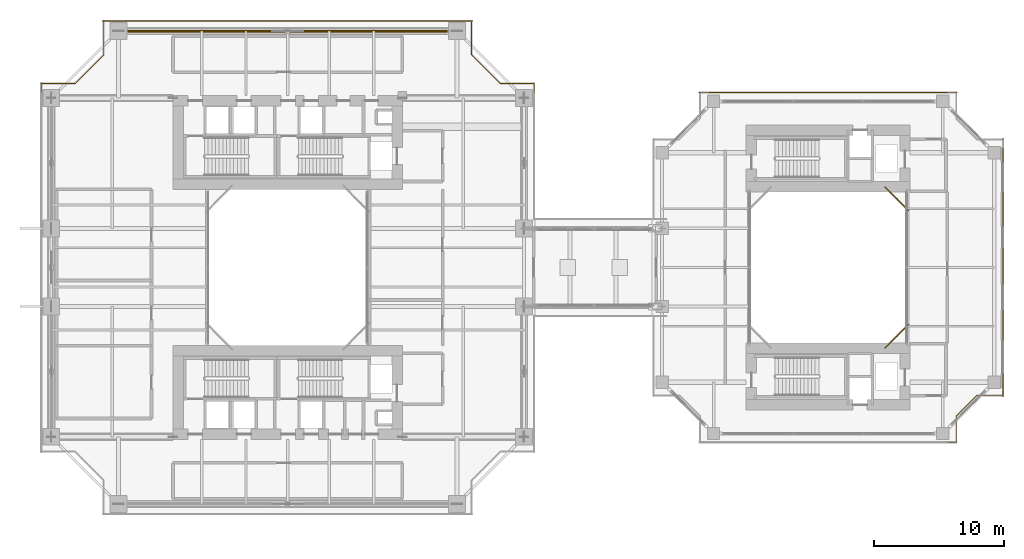
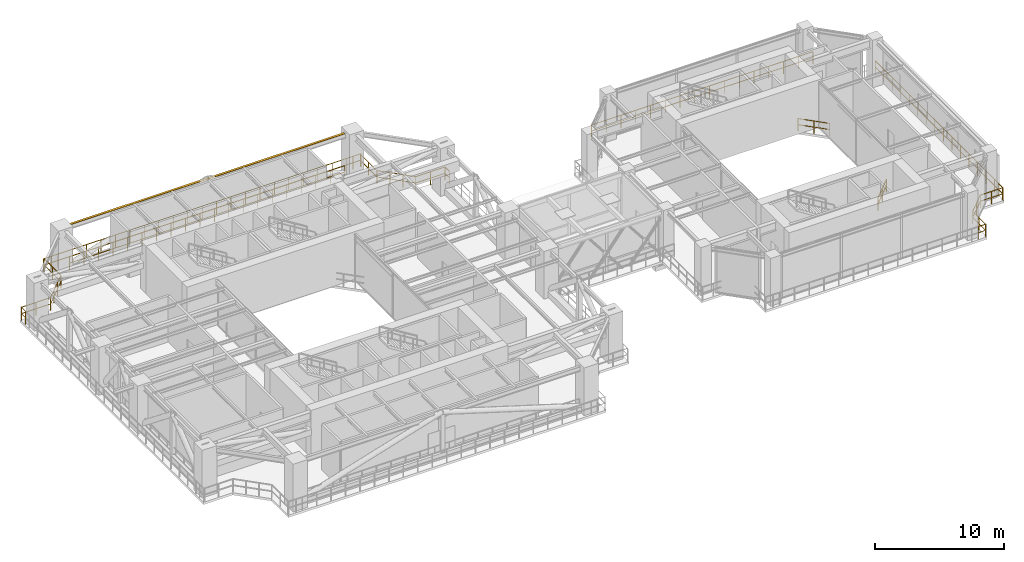
# One storey, part 25 of 26: 9 railings, 1 shading device.
"""IFC4 building model written with IfcOpenShell, lengths in metres."""

from ifc_helpers import new_model, si_unit, direction, frame, origin, origin_2d, place, context, subcontext, project, spatial, rectangle, extrude, source, transform, mapped, material, material_profile, profile_set, type_object, element, save


model = new_model("IFC4")

# Units and contexts
model_context = context("Model", 3, precision=1e-05, world=origin(), true_north=direction((0.0, 1.0)))
body_context = subcontext(model_context, "Body", "Model", "MODEL_VIEW")
ifc_project = project(units=[si_unit("LENGTHUNIT", "METRE"), si_unit("AREAUNIT", "SQUARE_METRE"), si_unit("VOLUMEUNIT", "CUBIC_METRE"), si_unit("PLANEANGLEUNIT", "RADIAN"), si_unit("MASSUNIT", "GRAM", prefix="KILO"), si_unit("THERMODYNAMICTEMPERATUREUNIT", "KELVIN"), si_unit("POWERUNIT", "WATT")], contexts=[model_context])

# Site, building, storey
site_placement = place(None, origin())
site = spatial("IfcSite", under=ifc_project, at=site_placement, CompositionType="ELEMENT")
building_placement = place(site_placement, origin())
building = spatial("IfcBuilding", under=site, at=building_placement, Name="Qiaomeng Ring Towers", CompositionType="ELEMENT")
storey_placement = place(building_placement, frame((0.0, 0.0, 45.75)))
storey = spatial("IfcBuildingStorey", under=building, at=storey_placement, Name="L12", CompositionType="ELEMENT", Elevation=45.75)

# Railings
ifc_material_1 = material(Name="Low-E pale-green laminated safety glass", Category="glass")
railing_type_1 = type_object("IfcRailingType", Name="ARC-RL-BAL1", PredefinedType="BALUSTRADE", material=ifc_material_1)
railing_1_placement = place(storey_placement, frame((64.8798828125, 16.820068359375, 0.0)))
element("IfcRailing", 1, at=railing_1_placement, inside=storey, type_object=railing_type_1, Name="L12 Balustrade ARC-BAL-WELL2-L12-1", PredefinedType="BALUSTRADE", context=body_context, shape_type="SweptSolid", body=[
    extrude(rectangle(XDim=0.048095703125, YDim=0.048095703125, at=origin_2d()), frame((0.0, 0.0, 1.17578125), z_axis=(0.707106781187, 0.707106781187, 0.0), x_axis=(-0.707106781187, 0.707106781187, 0.0)), (0.0, 0.0, 1.0), 2.545654296875),
    extrude(rectangle(XDim=0.048095703125, YDim=0.048095703125, at=origin_2d()), frame((0.0, 0.0, 0.60009765625), z_axis=(0.707106781187, 0.707106781187, 0.0), x_axis=(-0.707106781187, 0.707106781187, 0.0)), (0.0, 0.0, 1.0), 2.545654296875),
    extrude(rectangle(XDim=0.0419921875, YDim=0.0419921875, at=origin_2d()), origin(), (0.0, 0.0, 1.0), 1.15185546875),
    extrude(rectangle(XDim=0.0419921875, YDim=0.0419921875, at=origin_2d()), frame((0.89990234375, 0.89990234375, 0.0)), (0.0, 0.0, 1.0), 1.15185546875),
    extrude(rectangle(XDim=0.0419921875, YDim=0.0419921875, at=origin_2d()), frame((1.800048828125, 1.800048828125, 0.0)), (0.0, 0.0, 1.0), 1.15185546875),
])
railing_2_placement = place(storey_placement, frame((66.679931640625, 27.3798828125, 0.0)))
element("IfcRailing", 2, at=railing_2_placement, inside=storey, type_object=railing_type_1, Name="L12 Balustrade ARC-BAL-WELL2-L12-2", PredefinedType="BALUSTRADE", context=body_context, shape_type="SweptSolid", body=[
    extrude(rectangle(XDim=0.048095703125, YDim=0.048095703125, at=origin_2d()), frame((0.0, 0.0, 1.17578125), z_axis=(-0.707106781187, 0.707106781187, 0.0), x_axis=(-0.707106781187, -0.707106781187, 0.0)), (0.0, 0.0, 1.0), 2.545654296875),
    extrude(rectangle(XDim=0.048095703125, YDim=0.048095703125, at=origin_2d()), frame((0.0, 0.0, 0.60009765625), z_axis=(-0.707106781187, 0.707106781187, 0.0), x_axis=(-0.707106781187, -0.707106781187, 0.0)), (0.0, 0.0, 1.0), 2.545654296875),
    extrude(rectangle(XDim=0.0419921875, YDim=0.0419921875, at=origin_2d()), origin(), (0.0, 0.0, 1.0), 1.15185546875),
    extrude(rectangle(XDim=0.0419921875, YDim=0.0419921875, at=origin_2d()), frame((-0.89990234375, 0.89990234375, 0.0)), (0.0, 0.0, 1.0), 1.15185546875),
    extrude(rectangle(XDim=0.0419921875, YDim=0.0419921875, at=origin_2d()), frame((-1.800048828125, 1.800048828125, 0.0)), (0.0, 0.0, 1.0), 1.15185546875),
])
railing_3_placement = place(storey_placement, frame((69.669921875, 9.580078125, 0.0)))
element("IfcRailing", 3, at=railing_3_placement, inside=storey, type_object=railing_type_1, Name="L12 Balustrade ARC-BAL-NOTCH2-L12-SE", PredefinedType="BALUSTRADE", context=body_context, shape_type="SweptSolid", body=[
    extrude(rectangle(XDim=0.048095703125, YDim=0.048095703125, at=origin_2d()), frame((0.0, 0.0, 1.17578125), z_axis=(1.0, 0.0, 0.0), x_axis=(0.0, 1.0, 0.0)), (0.0, 0.0, 1.0), 0.650146484375),
    extrude(rectangle(XDim=0.048095703125, YDim=0.048095703125, at=origin_2d()), frame((0.0, 0.0, 0.60009765625), z_axis=(1.0, 0.0, 0.0), x_axis=(0.0, 1.0, 0.0)), (0.0, 0.0, 1.0), 0.650146484375),
    extrude(rectangle(XDim=0.048095703125, YDim=0.048095703125, at=origin_2d()), frame((0.650146484375, 0.0, 1.17578125), z_axis=(0.0, 1.0, 0.0), x_axis=(-1.0, 0.0, 0.0)), (0.0, 0.0, 1.0), 2.0),
    extrude(rectangle(XDim=0.048095703125, YDim=0.048095703125, at=origin_2d()), frame((0.650146484375, 0.0, 0.60009765625), z_axis=(0.0, 1.0, 0.0), x_axis=(-1.0, 0.0, 0.0)), (0.0, 0.0, 1.0), 2.0),
    extrude(rectangle(XDim=0.048095703125, YDim=0.048095703125, at=origin_2d()), frame((0.650146484375, 2.0, 1.17578125), z_axis=(0.707106781187, 0.707106781187, 0.0), x_axis=(-0.707106781187, 0.707106781187, 0.0)), (0.0, 0.0, 1.0), 2.262451171875),
    extrude(rectangle(XDim=0.048095703125, YDim=0.048095703125, at=origin_2d()), frame((0.650146484375, 2.0, 0.60009765625), z_axis=(0.707106781187, 0.707106781187, 0.0), x_axis=(-0.707106781187, 0.707106781187, 0.0)), (0.0, 0.0, 1.0), 2.262451171875),
    extrude(rectangle(XDim=0.048095703125, YDim=0.048095703125, at=origin_2d()), frame((2.25, 3.599853515625, 1.17578125), z_axis=(1.0, 0.0, 0.0), x_axis=(0.0, 1.0, 0.0)), (0.0, 0.0, 1.0), 2.0),
    extrude(rectangle(XDim=0.048095703125, YDim=0.048095703125, at=origin_2d()), frame((2.25, 3.599853515625, 0.60009765625), z_axis=(1.0, 0.0, 0.0), x_axis=(0.0, 1.0, 0.0)), (0.0, 0.0, 1.0), 2.0),
    extrude(rectangle(XDim=0.048095703125, YDim=0.048095703125, at=origin_2d()), frame((4.25, 3.599853515625, 1.17578125), z_axis=(0.0, 1.0, 0.0), x_axis=(-1.0, 0.0, 0.0)), (0.0, 0.0, 1.0), 0.650146484375),
    extrude(rectangle(XDim=0.048095703125, YDim=0.048095703125, at=origin_2d()), frame((4.25, 3.599853515625, 0.60009765625), z_axis=(0.0, 1.0, 0.0), x_axis=(-1.0, 0.0, 0.0)), (0.0, 0.0, 1.0), 0.650146484375),
    extrude(rectangle(XDim=0.0419921875, YDim=0.0419921875, at=origin_2d()), origin(), (0.0, 0.0, 1.0), 1.15185546875),
    extrude(rectangle(XDim=0.0419921875, YDim=0.0419921875, at=origin_2d()), frame((0.650146484375, 0.0, 0.0)), (0.0, 0.0, 1.0), 1.15185546875),
    extrude(rectangle(XDim=0.0419921875, YDim=0.0419921875, at=origin_2d()), frame((0.650146484375, 1.0, 0.0)), (0.0, 0.0, 1.0), 1.15185546875),
    extrude(rectangle(XDim=0.0419921875, YDim=0.0419921875, at=origin_2d()), frame((0.650146484375, 2.0, 0.0)), (0.0, 0.0, 1.0), 1.15185546875),
    extrude(rectangle(XDim=0.0419921875, YDim=0.0419921875, at=origin_2d()), frame((1.4501953125, 2.7998046875, 0.0)), (0.0, 0.0, 1.0), 1.15185546875),
    extrude(rectangle(XDim=0.0419921875, YDim=0.0419921875, at=origin_2d()), frame((2.25, 3.599853515625, 0.0)), (0.0, 0.0, 1.0), 1.15185546875),
    extrude(rectangle(XDim=0.0419921875, YDim=0.0419921875, at=origin_2d()), frame((3.25, 3.599853515625, 0.0)), (0.0, 0.0, 1.0), 1.15185546875),
    extrude(rectangle(XDim=0.0419921875, YDim=0.0419921875, at=origin_2d()), frame((4.25, 3.599853515625, 0.0)), (0.0, 0.0, 1.0), 1.15185546875),
    extrude(rectangle(XDim=0.0419921875, YDim=0.0419921875, at=origin_2d()), frame((4.25, 4.25, 0.0)), (0.0, 0.0, 1.0), 1.15185546875),
])
railing_4_placement = place(storey_placement, frame((50.60009765625, 36.419921875, 0.0)))
element("IfcRailing", 4, at=railing_4_placement, inside=storey, type_object=railing_type_1, Name="L12 Balustrade ARC-BAL-T2N-L12", PredefinedType="BALUSTRADE", context=body_context, shape_type="SweptSolid", body=[
    extrude(rectangle(XDim=0.048095703125, YDim=0.048095703125, at=origin_2d()), frame((0.0, 0.0, 1.17578125), z_axis=(1.0, 0.0, 0.0), x_axis=(0.0, 1.0, 0.0)), (0.0, 0.0, 1.0), 19.7998046875),
    extrude(rectangle(XDim=0.048095703125, YDim=0.048095703125, at=origin_2d()), frame((0.0, 0.0, 0.60009765625), z_axis=(1.0, 0.0, 0.0), x_axis=(0.0, 1.0, 0.0)), (0.0, 0.0, 1.0), 19.7998046875),
    extrude(rectangle(XDim=0.0419921875, YDim=0.0419921875, at=origin_2d()), origin(), (0.0, 0.0, 1.0), 1.15185546875),
    extrude(rectangle(XDim=0.0419921875, YDim=0.0419921875, at=origin_2d()), frame((1.320068359375, 0.0, 0.0)), (0.0, 0.0, 1.0), 1.15185546875),
    extrude(rectangle(XDim=0.0419921875, YDim=0.0419921875, at=origin_2d()), frame((2.639892578125, 0.0, 0.0)), (0.0, 0.0, 1.0), 1.15185546875),
    extrude(rectangle(XDim=0.0419921875, YDim=0.0419921875, at=origin_2d()), frame((3.9599609375, 0.0, 0.0)), (0.0, 0.0, 1.0), 1.15185546875),
    extrude(rectangle(XDim=0.0419921875, YDim=0.0419921875, at=origin_2d()), frame((5.280029296875, 0.0, 0.0)), (0.0, 0.0, 1.0), 1.15185546875),
    extrude(rectangle(XDim=0.0419921875, YDim=0.0419921875, at=origin_2d()), frame((6.599853515625, 0.0, 0.0)), (0.0, 0.0, 1.0), 1.15185546875),
    extrude(rectangle(XDim=0.0419921875, YDim=0.0419921875, at=origin_2d()), frame((7.919921875, 0.0, 0.0)), (0.0, 0.0, 1.0), 1.15185546875),
    extrude(rectangle(XDim=0.0419921875, YDim=0.0419921875, at=origin_2d()), frame((9.239990234375, 0.0, 0.0)), (0.0, 0.0, 1.0), 1.15185546875),
    extrude(rectangle(XDim=0.0419921875, YDim=0.0419921875, at=origin_2d()), frame((10.559814453125, 0.0, 0.0)), (0.0, 0.0, 1.0), 1.15185546875),
    extrude(rectangle(XDim=0.0419921875, YDim=0.0419921875, at=origin_2d()), frame((11.8798828125, 0.0, 0.0)), (0.0, 0.0, 1.0), 1.15185546875),
    extrude(rectangle(XDim=0.0419921875, YDim=0.0419921875, at=origin_2d()), frame((13.199951171875, 0.0, 0.0)), (0.0, 0.0, 1.0), 1.15185546875),
    extrude(rectangle(XDim=0.0419921875, YDim=0.0419921875, at=origin_2d()), frame((14.519775390625, 0.0, 0.0)), (0.0, 0.0, 1.0), 1.15185546875),
    extrude(rectangle(XDim=0.0419921875, YDim=0.0419921875, at=origin_2d()), frame((15.83984375, 0.0, 0.0)), (0.0, 0.0, 1.0), 1.15185546875),
    extrude(rectangle(XDim=0.0419921875, YDim=0.0419921875, at=origin_2d()), frame((17.159912109375, 0.0, 0.0)), (0.0, 0.0, 1.0), 1.15185546875),
    extrude(rectangle(XDim=0.0419921875, YDim=0.0419921875, at=origin_2d()), frame((18.479736328125, 0.0, 0.0)), (0.0, 0.0, 1.0), 1.15185546875),
    extrude(rectangle(XDim=0.0419921875, YDim=0.0419921875, at=origin_2d()), frame((19.7998046875, 0.0, 0.0)), (0.0, 0.0, 1.0), 1.15185546875),
])
ifc_material_2 = material(Name="Stainless steel 316", Category="steel")
railing_type_2 = type_object("IfcRailingType", Name="ARC-RL-BAL2", PredefinedType="BALUSTRADE", material=ifc_material_2)
railing_5_placement = place(storey_placement, frame((31.300048828125, 41.14990234375, 0.0)))
element("IfcRailing", 5, at=railing_5_placement, inside=storey, type_object=railing_type_2, Name="L12 Open Refuge Band Perimeter Guard N", PredefinedType="BALUSTRADE", context=body_context, shape_type="SweptSolid", body=[
    extrude(rectangle(XDim=0.048095703125, YDim=0.048095703125, at=origin_2d()), frame((0.0, 0.0, 1.22607421875), z_axis=(-1.0, 0.0, 0.0), x_axis=(0.0, -1.0, 0.0)), (0.0, 0.0, 1.0), 24.60009765625),
    extrude(rectangle(XDim=0.048095703125, YDim=0.048095703125, at=origin_2d()), frame((0.0, 0.0, 0.625), z_axis=(-1.0, 0.0, 0.0), x_axis=(0.0, -1.0, 0.0)), (0.0, 0.0, 1.0), 24.60009765625),
    extrude(rectangle(XDim=0.0419921875, YDim=0.0419921875, at=origin_2d()), origin(), (0.0, 0.0, 1.0), 1.201904296875),
    extrude(rectangle(XDim=0.0419921875, YDim=0.0419921875, at=origin_2d()), frame((-1.294677734375, 0.0, 0.0)), (0.0, 0.0, 1.0), 1.201904296875),
    extrude(rectangle(XDim=0.0419921875, YDim=0.0419921875, at=origin_2d()), frame((-2.589599609375, 0.0, 0.0)), (0.0, 0.0, 1.0), 1.201904296875),
    extrude(rectangle(XDim=0.0419921875, YDim=0.0419921875, at=origin_2d()), frame((-3.88427734375, 0.0, 0.0)), (0.0, 0.0, 1.0), 1.201904296875),
    extrude(rectangle(XDim=0.0419921875, YDim=0.0419921875, at=origin_2d()), frame((-5.178955078125, 0.0, 0.0)), (0.0, 0.0, 1.0), 1.201904296875),
    extrude(rectangle(XDim=0.0419921875, YDim=0.0419921875, at=origin_2d()), frame((-6.4736328125, 0.0, 0.0)), (0.0, 0.0, 1.0), 1.201904296875),
    extrude(rectangle(XDim=0.0419921875, YDim=0.0419921875, at=origin_2d()), frame((-7.7685546875, 0.0, 0.0)), (0.0, 0.0, 1.0), 1.201904296875),
    extrude(rectangle(XDim=0.0419921875, YDim=0.0419921875, at=origin_2d()), frame((-9.063232421875, 0.0, 0.0)), (0.0, 0.0, 1.0), 1.201904296875),
    extrude(rectangle(XDim=0.0419921875, YDim=0.0419921875, at=origin_2d()), frame((-10.35791015625, 0.0, 0.0)), (0.0, 0.0, 1.0), 1.201904296875),
    extrude(rectangle(XDim=0.0419921875, YDim=0.0419921875, at=origin_2d()), frame((-11.652587890625, 0.0, 0.0)), (0.0, 0.0, 1.0), 1.201904296875),
    extrude(rectangle(XDim=0.0419921875, YDim=0.0419921875, at=origin_2d()), frame((-12.947509765625, 0.0, 0.0)), (0.0, 0.0, 1.0), 1.201904296875),
    extrude(rectangle(XDim=0.0419921875, YDim=0.0419921875, at=origin_2d()), frame((-14.2421875, 0.0, 0.0)), (0.0, 0.0, 1.0), 1.201904296875),
    extrude(rectangle(XDim=0.0419921875, YDim=0.0419921875, at=origin_2d()), frame((-15.536865234375, 0.0, 0.0)), (0.0, 0.0, 1.0), 1.201904296875),
    extrude(rectangle(XDim=0.0419921875, YDim=0.0419921875, at=origin_2d()), frame((-16.83154296875, 0.0, 0.0)), (0.0, 0.0, 1.0), 1.201904296875),
    extrude(rectangle(XDim=0.0419921875, YDim=0.0419921875, at=origin_2d()), frame((-18.12646484375, 0.0, 0.0)), (0.0, 0.0, 1.0), 1.201904296875),
    extrude(rectangle(XDim=0.0419921875, YDim=0.0419921875, at=origin_2d()), frame((-19.421142578125, 0.0, 0.0)), (0.0, 0.0, 1.0), 1.201904296875),
    extrude(rectangle(XDim=0.0419921875, YDim=0.0419921875, at=origin_2d()), frame((-20.7158203125, 0.0, 0.0)), (0.0, 0.0, 1.0), 1.201904296875),
    extrude(rectangle(XDim=0.0419921875, YDim=0.0419921875, at=origin_2d()), frame((-22.010498046875, 0.0, 0.0)), (0.0, 0.0, 1.0), 1.201904296875),
    extrude(rectangle(XDim=0.0419921875, YDim=0.0419921875, at=origin_2d()), frame((-23.305419921875, 0.0, 0.0)), (0.0, 0.0, 1.0), 1.201904296875),
    extrude(rectangle(XDim=0.0419921875, YDim=0.0419921875, at=origin_2d()), frame((-24.60009765625, 0.0, 0.0)), (0.0, 0.0, 1.0), 1.201904296875),
])
railing_6_placement = place(storey_placement, frame((37.919921875, 36.469970703125, 0.0)))
element("IfcRailing", 6, at=railing_6_placement, inside=storey, type_object=railing_type_2, Name="L12 Balustrade ARC-BAL-REF-CNR-L12-NE", PredefinedType="BALUSTRADE", context=body_context, shape_type="SweptSolid", body=[
    extrude(rectangle(XDim=0.048095703125, YDim=0.048095703125, at=origin_2d()), frame((0.0, 0.0, 1.22607421875), z_axis=(0.0, 1.0, 0.0), x_axis=(-1.0, 0.0, 0.0)), (0.0, 0.0, 1.0), 0.650146484375),
    extrude(rectangle(XDim=0.048095703125, YDim=0.048095703125, at=origin_2d()), frame((0.0, 0.0, 0.625), z_axis=(0.0, 1.0, 0.0), x_axis=(-1.0, 0.0, 0.0)), (0.0, 0.0, 1.0), 0.650146484375),
    extrude(rectangle(XDim=0.048095703125, YDim=0.048095703125, at=origin_2d()), frame((0.0, 0.650146484375, 1.22607421875), z_axis=(-1.0, 0.0, 0.0), x_axis=(0.0, -1.0, 0.0)), (0.0, 0.0, 1.0), 2.599853515625),
    extrude(rectangle(XDim=0.048095703125, YDim=0.048095703125, at=origin_2d()), frame((0.0, 0.650146484375, 0.625), z_axis=(-1.0, 0.0, 0.0), x_axis=(0.0, -1.0, 0.0)), (0.0, 0.0, 1.0), 2.599853515625),
    extrude(rectangle(XDim=0.048095703125, YDim=0.048095703125, at=origin_2d()), frame((-2.599853515625, 0.650146484375, 1.22607421875), z_axis=(-0.707106781187, 0.707106781187, 0.0), x_axis=(-0.707106781187, -0.707106781187, 0.0)), (0.0, 0.0, 1.0), 3.111083984375),
    extrude(rectangle(XDim=0.048095703125, YDim=0.048095703125, at=origin_2d()), frame((-2.599853515625, 0.650146484375, 0.625), z_axis=(-0.707106781187, 0.707106781187, 0.0), x_axis=(-0.707106781187, -0.707106781187, 0.0)), (0.0, 0.0, 1.0), 3.111083984375),
    extrude(rectangle(XDim=0.048095703125, YDim=0.048095703125, at=origin_2d()), frame((-4.7998046875, 2.85009765625, 1.22607421875), z_axis=(0.0, 1.0, 0.0), x_axis=(-1.0, 0.0, 0.0)), (0.0, 0.0, 1.0), 2.599853515625),
    extrude(rectangle(XDim=0.048095703125, YDim=0.048095703125, at=origin_2d()), frame((-4.7998046875, 2.85009765625, 0.625), z_axis=(0.0, 1.0, 0.0), x_axis=(-1.0, 0.0, 0.0)), (0.0, 0.0, 1.0), 2.599853515625),
    extrude(rectangle(XDim=0.048095703125, YDim=0.048095703125, at=origin_2d()), frame((-4.7998046875, 5.449951171875, 1.22607421875), z_axis=(-1.0, 0.0, 0.0), x_axis=(0.0, -1.0, 0.0)), (0.0, 0.0, 1.0), 0.650146484375),
    extrude(rectangle(XDim=0.048095703125, YDim=0.048095703125, at=origin_2d()), frame((-4.7998046875, 5.449951171875, 0.625), z_axis=(-1.0, 0.0, 0.0), x_axis=(0.0, -1.0, 0.0)), (0.0, 0.0, 1.0), 0.650146484375),
    extrude(rectangle(XDim=0.0419921875, YDim=0.0419921875, at=origin_2d()), origin(), (0.0, 0.0, 1.0), 1.201904296875),
    extrude(rectangle(XDim=0.0419921875, YDim=0.0419921875, at=origin_2d()), frame((0.0, 0.650146484375, 0.0)), (0.0, 0.0, 1.0), 1.201904296875),
    extrude(rectangle(XDim=0.0419921875, YDim=0.0419921875, at=origin_2d()), frame((-1.2998046875, 0.650146484375, 0.0)), (0.0, 0.0, 1.0), 1.201904296875),
    extrude(rectangle(XDim=0.0419921875, YDim=0.0419921875, at=origin_2d()), frame((-2.599853515625, 0.650146484375, 0.0)), (0.0, 0.0, 1.0), 1.201904296875),
    extrude(rectangle(XDim=0.0419921875, YDim=0.0419921875, at=origin_2d()), frame((-3.333251953125, 1.383544921875, 0.0)), (0.0, 0.0, 1.0), 1.201904296875),
    extrude(rectangle(XDim=0.0419921875, YDim=0.0419921875, at=origin_2d()), frame((-4.06640625, 2.11669921875, 0.0)), (0.0, 0.0, 1.0), 1.201904296875),
    extrude(rectangle(XDim=0.0419921875, YDim=0.0419921875, at=origin_2d()), frame((-4.7998046875, 2.85009765625, 0.0)), (0.0, 0.0, 1.0), 1.201904296875),
    extrude(rectangle(XDim=0.0419921875, YDim=0.0419921875, at=origin_2d()), frame((-4.7998046875, 4.14990234375, 0.0)), (0.0, 0.0, 1.0), 1.201904296875),
    extrude(rectangle(XDim=0.0419921875, YDim=0.0419921875, at=origin_2d()), frame((-4.7998046875, 5.449951171875, 0.0)), (0.0, 0.0, 1.0), 1.201904296875),
    extrude(rectangle(XDim=0.0419921875, YDim=0.0419921875, at=origin_2d()), frame((-5.449951171875, 5.449951171875, 0.0)), (0.0, 0.0, 1.0), 1.201904296875),
])
railing_7_placement = place(storey_placement, frame((5.530029296875, 41.919921875, 0.0)))
element("IfcRailing", 7, at=railing_7_placement, inside=storey, type_object=railing_type_2, Name="L12 Balustrade ARC-BAL-REF-CNR-L12-NW", PredefinedType="BALUSTRADE", context=body_context, shape_type="SweptSolid", body=[
    extrude(rectangle(XDim=0.048095703125, YDim=0.048095703125, at=origin_2d()), frame((0.0, 0.0, 1.22607421875), z_axis=(-1.0, 0.0, 0.0), x_axis=(0.0, -1.0, 0.0)), (0.0, 0.0, 1.0), 0.650146484375),
    extrude(rectangle(XDim=0.048095703125, YDim=0.048095703125, at=origin_2d()), frame((0.0, 0.0, 0.625), z_axis=(-1.0, 0.0, 0.0), x_axis=(0.0, -1.0, 0.0)), (0.0, 0.0, 1.0), 0.650146484375),
    extrude(rectangle(XDim=0.048095703125, YDim=0.048095703125, at=origin_2d()), frame((-0.650146484375, 0.0, 1.22607421875), z_axis=(0.0, -1.0, 0.0), x_axis=(1.0, 0.0, 0.0)), (0.0, 0.0, 1.0), 2.599853515625),
    extrude(rectangle(XDim=0.048095703125, YDim=0.048095703125, at=origin_2d()), frame((-0.650146484375, 0.0, 0.625), z_axis=(0.0, -1.0, 0.0), x_axis=(1.0, 0.0, 0.0)), (0.0, 0.0, 1.0), 2.599853515625),
    extrude(rectangle(XDim=0.048095703125, YDim=0.048095703125, at=origin_2d()), frame((-0.650146484375, -2.599853515625, 1.22607421875), z_axis=(-0.707106781187, -0.707106781187, 0.0), x_axis=(0.707106781187, -0.707106781187, 0.0)), (0.0, 0.0, 1.0), 3.111083984375),
    extrude(rectangle(XDim=0.048095703125, YDim=0.048095703125, at=origin_2d()), frame((-0.650146484375, -2.599853515625, 0.625), z_axis=(-0.707106781187, -0.707106781187, 0.0), x_axis=(0.707106781187, -0.707106781187, 0.0)), (0.0, 0.0, 1.0), 3.111083984375),
    extrude(rectangle(XDim=0.048095703125, YDim=0.048095703125, at=origin_2d()), frame((-2.85009765625, -4.7998046875, 1.22607421875), z_axis=(-1.0, 0.0, 0.0), x_axis=(0.0, -1.0, 0.0)), (0.0, 0.0, 1.0), 2.599853515625),
    extrude(rectangle(XDim=0.048095703125, YDim=0.048095703125, at=origin_2d()), frame((-2.85009765625, -4.7998046875, 0.625), z_axis=(-1.0, 0.0, 0.0), x_axis=(0.0, -1.0, 0.0)), (0.0, 0.0, 1.0), 2.599853515625),
    extrude(rectangle(XDim=0.048095703125, YDim=0.048095703125, at=origin_2d()), frame((-5.449951171875, -4.7998046875, 1.22607421875), z_axis=(0.0, -1.0, 0.0), x_axis=(1.0, 0.0, 0.0)), (0.0, 0.0, 1.0), 0.650146484375),
    extrude(rectangle(XDim=0.048095703125, YDim=0.048095703125, at=origin_2d()), frame((-5.449951171875, -4.7998046875, 0.625), z_axis=(0.0, -1.0, 0.0), x_axis=(1.0, 0.0, 0.0)), (0.0, 0.0, 1.0), 0.650146484375),
    extrude(rectangle(XDim=0.0419921875, YDim=0.0419921875, at=origin_2d()), origin(), (0.0, 0.0, 1.0), 1.201904296875),
    extrude(rectangle(XDim=0.0419921875, YDim=0.0419921875, at=origin_2d()), frame((-0.650146484375, 0.0, 0.0)), (0.0, 0.0, 1.0), 1.201904296875),
    extrude(rectangle(XDim=0.0419921875, YDim=0.0419921875, at=origin_2d()), frame((-0.650146484375, -1.2998046875, 0.0)), (0.0, 0.0, 1.0), 1.201904296875),
    extrude(rectangle(XDim=0.0419921875, YDim=0.0419921875, at=origin_2d()), frame((-0.650146484375, -2.599853515625, 0.0)), (0.0, 0.0, 1.0), 1.201904296875),
    extrude(rectangle(XDim=0.0419921875, YDim=0.0419921875, at=origin_2d()), frame((-1.383544921875, -3.333251953125, 0.0)), (0.0, 0.0, 1.0), 1.201904296875),
    extrude(rectangle(XDim=0.0419921875, YDim=0.0419921875, at=origin_2d()), frame((-2.11669921875, -4.06640625, 0.0)), (0.0, 0.0, 1.0), 1.201904296875),
    extrude(rectangle(XDim=0.0419921875, YDim=0.0419921875, at=origin_2d()), frame((-2.85009765625, -4.7998046875, 0.0)), (0.0, 0.0, 1.0), 1.201904296875),
    extrude(rectangle(XDim=0.0419921875, YDim=0.0419921875, at=origin_2d()), frame((-4.14990234375, -4.7998046875, 0.0)), (0.0, 0.0, 1.0), 1.201904296875),
    extrude(rectangle(XDim=0.0419921875, YDim=0.0419921875, at=origin_2d()), frame((-5.449951171875, -4.7998046875, 0.0)), (0.0, 0.0, 1.0), 1.201904296875),
    extrude(rectangle(XDim=0.0419921875, YDim=0.0419921875, at=origin_2d()), frame((-5.449951171875, -5.449951171875, 0.0)), (0.0, 0.0, 1.0), 1.201904296875),
])
railing_8_placement = place(storey_placement, frame((4.800048828125, 41.919921875, 0.0)))
element("IfcRailing", 8, at=railing_8_placement, inside=storey, type_object=railing_type_2, Name="L12 Balustrade ARC-BAL-REF-N-L12", PredefinedType="BALUSTRADE", context=body_context, shape_type="SweptSolid", body=[
    extrude(rectangle(XDim=0.048095703125, YDim=0.048095703125, at=origin_2d()), frame((0.0, 0.0, 1.22607421875), z_axis=(1.0, 0.0, 0.0), x_axis=(0.0, 1.0, 0.0)), (0.0, 0.0, 1.0), 28.39990234375),
    extrude(rectangle(XDim=0.048095703125, YDim=0.048095703125, at=origin_2d()), frame((0.0, 0.0, 0.625), z_axis=(1.0, 0.0, 0.0), x_axis=(0.0, 1.0, 0.0)), (0.0, 0.0, 1.0), 28.39990234375),
    extrude(rectangle(XDim=0.0419921875, YDim=0.0419921875, at=origin_2d()), origin(), (0.0, 0.0, 1.0), 1.201904296875),
    extrude(rectangle(XDim=0.0419921875, YDim=0.0419921875, at=origin_2d()), frame((1.291015625, 0.0, 0.0)), (0.0, 0.0, 1.0), 1.201904296875),
    extrude(rectangle(XDim=0.0419921875, YDim=0.0419921875, at=origin_2d()), frame((2.581787109375, 0.0, 0.0)), (0.0, 0.0, 1.0), 1.201904296875),
    extrude(rectangle(XDim=0.0419921875, YDim=0.0419921875, at=origin_2d()), frame((3.872802734375, 0.0, 0.0)), (0.0, 0.0, 1.0), 1.201904296875),
    extrude(rectangle(XDim=0.0419921875, YDim=0.0419921875, at=origin_2d()), frame((5.16357421875, 0.0, 0.0)), (0.0, 0.0, 1.0), 1.201904296875),
    extrude(rectangle(XDim=0.0419921875, YDim=0.0419921875, at=origin_2d()), frame((6.45458984375, 0.0, 0.0)), (0.0, 0.0, 1.0), 1.201904296875),
    extrude(rectangle(XDim=0.0419921875, YDim=0.0419921875, at=origin_2d()), frame((7.745361328125, 0.0, 0.0)), (0.0, 0.0, 1.0), 1.201904296875),
    extrude(rectangle(XDim=0.0419921875, YDim=0.0419921875, at=origin_2d()), frame((9.036376953125, 0.0, 0.0)), (0.0, 0.0, 1.0), 1.201904296875),
    extrude(rectangle(XDim=0.0419921875, YDim=0.0419921875, at=origin_2d()), frame((10.3271484375, 0.0, 0.0)), (0.0, 0.0, 1.0), 1.201904296875),
    extrude(rectangle(XDim=0.0419921875, YDim=0.0419921875, at=origin_2d()), frame((11.6181640625, 0.0, 0.0)), (0.0, 0.0, 1.0), 1.201904296875),
    extrude(rectangle(XDim=0.0419921875, YDim=0.0419921875, at=origin_2d()), frame((12.908935546875, 0.0, 0.0)), (0.0, 0.0, 1.0), 1.201904296875),
    extrude(rectangle(XDim=0.0419921875, YDim=0.0419921875, at=origin_2d()), frame((14.199951171875, 0.0, 0.0)), (0.0, 0.0, 1.0), 1.201904296875),
    extrude(rectangle(XDim=0.0419921875, YDim=0.0419921875, at=origin_2d()), frame((15.490966796875, 0.0, 0.0)), (0.0, 0.0, 1.0), 1.201904296875),
    extrude(rectangle(XDim=0.0419921875, YDim=0.0419921875, at=origin_2d()), frame((16.78173828125, 0.0, 0.0)), (0.0, 0.0, 1.0), 1.201904296875),
    extrude(rectangle(XDim=0.0419921875, YDim=0.0419921875, at=origin_2d()), frame((18.07275390625, 0.0, 0.0)), (0.0, 0.0, 1.0), 1.201904296875),
    extrude(rectangle(XDim=0.0419921875, YDim=0.0419921875, at=origin_2d()), frame((19.363525390625, 0.0, 0.0)), (0.0, 0.0, 1.0), 1.201904296875),
    extrude(rectangle(XDim=0.0419921875, YDim=0.0419921875, at=origin_2d()), frame((20.654541015625, 0.0, 0.0)), (0.0, 0.0, 1.0), 1.201904296875),
    extrude(rectangle(XDim=0.0419921875, YDim=0.0419921875, at=origin_2d()), frame((21.9453125, 0.0, 0.0)), (0.0, 0.0, 1.0), 1.201904296875),
    extrude(rectangle(XDim=0.0419921875, YDim=0.0419921875, at=origin_2d()), frame((23.236328125, 0.0, 0.0)), (0.0, 0.0, 1.0), 1.201904296875),
    extrude(rectangle(XDim=0.0419921875, YDim=0.0419921875, at=origin_2d()), frame((24.527099609375, 0.0, 0.0)), (0.0, 0.0, 1.0), 1.201904296875),
    extrude(rectangle(XDim=0.0419921875, YDim=0.0419921875, at=origin_2d()), frame((25.818115234375, 0.0, 0.0)), (0.0, 0.0, 1.0), 1.201904296875),
    extrude(rectangle(XDim=0.0419921875, YDim=0.0419921875, at=origin_2d()), frame((27.10888671875, 0.0, 0.0)), (0.0, 0.0, 1.0), 1.201904296875),
    extrude(rectangle(XDim=0.0419921875, YDim=0.0419921875, at=origin_2d()), frame((28.39990234375, 0.0, 0.0)), (0.0, 0.0, 1.0), 1.201904296875),
])
railing_9_placement = place(storey_placement, frame((73.919921875, 13.10009765625, 0.0)))
element("IfcRailing", 9, at=railing_9_placement, inside=storey, type_object=railing_type_2, Name="L12 Balustrade ARC-BAL-T2E-REF-L12", PredefinedType="BALUSTRADE", context=body_context, shape_type="SweptSolid", body=[
    extrude(rectangle(XDim=0.048095703125, YDim=0.048095703125, at=origin_2d()), frame((0.0, 0.0, 1.22607421875), z_axis=(0.0, 1.0, 0.0), x_axis=(-1.0, 0.0, 0.0)), (0.0, 0.0, 1.0), 19.7998046875),
    extrude(rectangle(XDim=0.048095703125, YDim=0.048095703125, at=origin_2d()), frame((0.0, 0.0, 0.625), z_axis=(0.0, 1.0, 0.0), x_axis=(-1.0, 0.0, 0.0)), (0.0, 0.0, 1.0), 19.7998046875),
    extrude(rectangle(XDim=0.0419921875, YDim=0.0419921875, at=origin_2d()), origin(), (0.0, 0.0, 1.0), 1.201904296875),
    extrude(rectangle(XDim=0.0419921875, YDim=0.0419921875, at=origin_2d()), frame((0.0, 1.320068359375, 0.0)), (0.0, 0.0, 1.0), 1.201904296875),
    extrude(rectangle(XDim=0.0419921875, YDim=0.0419921875, at=origin_2d()), frame((0.0, 2.639892578125, 0.0)), (0.0, 0.0, 1.0), 1.201904296875),
    extrude(rectangle(XDim=0.0419921875, YDim=0.0419921875, at=origin_2d()), frame((0.0, 3.9599609375, 0.0)), (0.0, 0.0, 1.0), 1.201904296875),
    extrude(rectangle(XDim=0.0419921875, YDim=0.0419921875, at=origin_2d()), frame((0.0, 5.280029296875, 0.0)), (0.0, 0.0, 1.0), 1.201904296875),
    extrude(rectangle(XDim=0.0419921875, YDim=0.0419921875, at=origin_2d()), frame((0.0, 6.599853515625, 0.0)), (0.0, 0.0, 1.0), 1.201904296875),
    extrude(rectangle(XDim=0.0419921875, YDim=0.0419921875, at=origin_2d()), frame((0.0, 7.919921875, 0.0)), (0.0, 0.0, 1.0), 1.201904296875),
    extrude(rectangle(XDim=0.0419921875, YDim=0.0419921875, at=origin_2d()), frame((0.0, 9.239990234375, 0.0)), (0.0, 0.0, 1.0), 1.201904296875),
    extrude(rectangle(XDim=0.0419921875, YDim=0.0419921875, at=origin_2d()), frame((0.0, 10.559814453125, 0.0)), (0.0, 0.0, 1.0), 1.201904296875),
    extrude(rectangle(XDim=0.0419921875, YDim=0.0419921875, at=origin_2d()), frame((0.0, 11.8798828125, 0.0)), (0.0, 0.0, 1.0), 1.201904296875),
    extrude(rectangle(XDim=0.0419921875, YDim=0.0419921875, at=origin_2d()), frame((0.0, 13.199951171875, 0.0)), (0.0, 0.0, 1.0), 1.201904296875),
    extrude(rectangle(XDim=0.0419921875, YDim=0.0419921875, at=origin_2d()), frame((0.0, 14.519775390625, 0.0)), (0.0, 0.0, 1.0), 1.201904296875),
    extrude(rectangle(XDim=0.0419921875, YDim=0.0419921875, at=origin_2d()), frame((0.0, 15.83984375, 0.0)), (0.0, 0.0, 1.0), 1.201904296875),
    extrude(rectangle(XDim=0.0419921875, YDim=0.0419921875, at=origin_2d()), frame((0.0, 17.159912109375, 0.0)), (0.0, 0.0, 1.0), 1.201904296875),
    extrude(rectangle(XDim=0.0419921875, YDim=0.0419921875, at=origin_2d()), frame((0.0, 18.479736328125, 0.0)), (0.0, 0.0, 1.0), 1.201904296875),
    extrude(rectangle(XDim=0.0419921875, YDim=0.0419921875, at=origin_2d()), frame((0.0, 19.7998046875, 0.0)), (0.0, 0.0, 1.0), 1.201904296875),
])

# Shading device
ifc_material_profile = material_profile(ifc_material_2, rectangle(XDim=0.199951171875, YDim=0.0400390625, at=origin_2d()), Name="LV BLADE 200x40")
ifc_profile_set = profile_set([ifc_material_profile], Name="Stainless steel 316")
shading_device_type = type_object("IfcShadingDeviceType", Name="ARC-SHD-LOUVRE", PredefinedType="JALOUSIE", material=ifc_profile_set)
shared_shape = source(origin(), body_context, "Body", "SweptSolid", [
    extrude(rectangle(XDim=0.199951171875, YDim=0.0400390625, at=origin_2d()), origin(), (0.0, 0.0, 1.0), 24.5),
])
shading_device_placement = place(storey_placement, frame((31.25, 41.14990234375, 4.300048828125), z_axis=(-1.0, 0.0, 0.0), x_axis=(0.0, -1.0, 0.0)))
element("IfcShadingDevice", 10, at=shading_device_placement, inside=storey, type_object=shading_device_type, Name="L12 Stainless Acoustic Intake Louvre N", PredefinedType="JALOUSIE", context=body_context, shape_type="MappedRepresentation", body=[
    mapped(shared_shape, transform((0.0, 0.0, 0.0), x_axis=(1.0, 0.0, 0.0), y_axis=(0.0, 1.0, 0.0), z_axis=(0.0, 0.0, 1.0), scale=1.0)),
])

save(model, "model.ifc")
